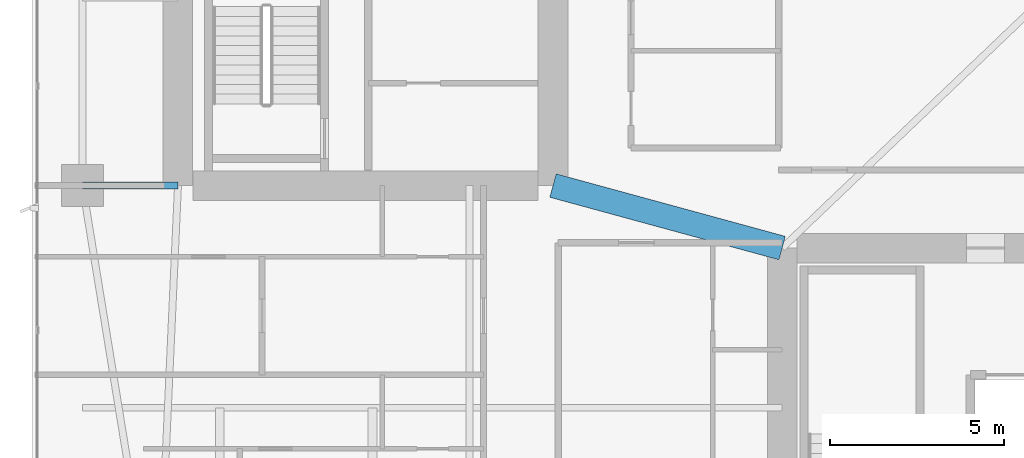
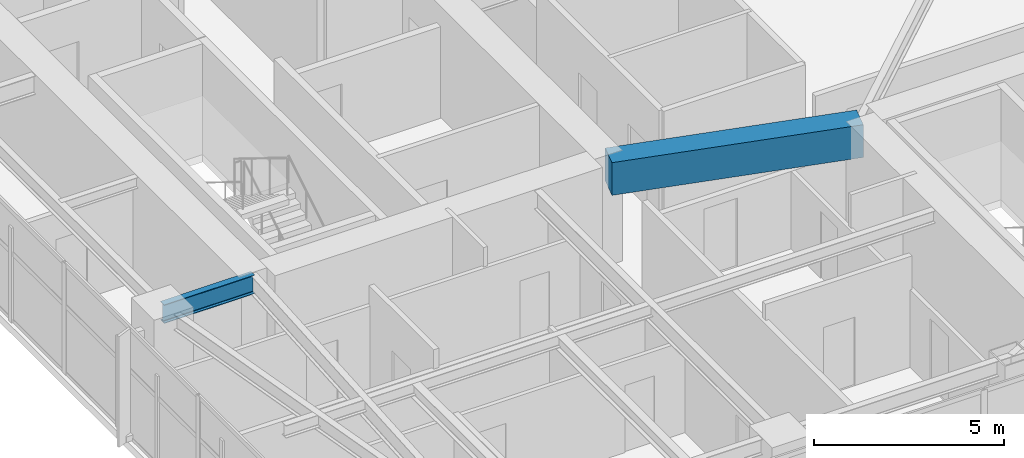
# One storey, part 7 of 29: 2 beams.
"""IFC4 building model written with IfcOpenShell, lengths in metres."""

from ifc_helpers import new_model, si_unit, direction, frame, origin, origin_2d, place, context, subcontext, project, spatial, rectangle, i_section, extrude, material, material_profile, profile_set, type_object, element, save


model = new_model("IFC4")

# Units and contexts
model_context = context("Model", 3, precision=1e-05, world=origin(), true_north=direction((0.0, 1.0)))
body_context = subcontext(model_context, "Body", "Model", "MODEL_VIEW")
ifc_project = project(units=[si_unit("LENGTHUNIT", "METRE"), si_unit("AREAUNIT", "SQUARE_METRE"), si_unit("VOLUMEUNIT", "CUBIC_METRE"), si_unit("PLANEANGLEUNIT", "RADIAN"), si_unit("MASSUNIT", "GRAM", prefix="KILO")], contexts=[model_context])

# Site, building, storey
site_placement = place(None, origin())
site = spatial("IfcSite", under=ifc_project, at=site_placement, CompositionType="ELEMENT")
building_placement = place(site_placement, origin())
building = spatial("IfcBuilding", under=site, at=building_placement, Name="Calvorn Quay Hotel", CompositionType="ELEMENT")
storey_placement = place(building_placement, frame((0.0, 0.0, 167.5)))
storey = spatial("IfcBuildingStorey", under=building, at=storey_placement, Name="L41", CompositionType="ELEMENT", Elevation=167.5)

# Beams
ifc_material_1 = material(Name="Steel Q355B", Category="steel")
ifc_material_profile_1 = material_profile(ifc_material_1, i_section(OverallWidth=0.199951171875, OverallDepth=0.60009765625, WebThickness=0.010986328125, FlangeThickness=0.01708984375, FilletRadius=0.01806640625, at=origin_2d()), Name="HN600x200x11x17")
ifc_profile_set_1 = profile_set([ifc_material_profile_1], Name="Steel Q355B")
beam_type_1 = type_object("IfcBeamType", Name="BM-GIRD-TYP", PredefinedType="BEAM", material=ifc_profile_set_1)
beam_1_placement = place(storey_placement, frame((1.449951171875, 16.800048828125, 3.239990234375), z_axis=(1.0, 0.0, 0.0), x_axis=(0.0, 1.0, 0.0)))
element("IfcBeam", 1, at=beam_1_placement, inside=storey, type_object=beam_type_1, Name="Beam BG-L41-W1", PredefinedType="BEAM", context=body_context, shape_type="SweptSolid", body=[
    extrude(i_section(OverallWidth=0.199951171875, OverallDepth=0.60009765625, WebThickness=0.010986328125, FlangeThickness=0.01708984375, FilletRadius=0.01806640625, at=origin_2d()), origin(), (0.0, 0.0, 1.0), 2.75),
])
ifc_material_2 = material(Name="Concrete C50", Category="concrete")
ifc_material_profile_2 = material_profile(ifc_material_2, rectangle(XDim=0.699951171875, YDim=1.050048828125, at=origin_2d()), Name="RCB700x1050")
ifc_profile_set_2 = profile_set([ifc_material_profile_2], Name="Concrete C50")
beam_type_2 = type_object("IfcBeamType", Name="BM-RC-LINK-700x1050", PredefinedType="BEAM", material=ifc_profile_set_2)
beam_2_placement = place(storey_placement, frame((15.0, 16.800048828125, 3.014892578125), z_axis=(0.964762997686, -0.263120425462, 0.0), x_axis=(0.263120425462, 0.964762997686, 0.0)))
element("IfcBeam", 2, at=beam_2_placement, inside=storey, type_object=beam_type_2, Name="Beam BCL-L41-01", PredefinedType="BEAM", context=body_context, shape_type="SweptSolid", body=[
    extrude(rectangle(XDim=0.699951171875, YDim=1.050048828125, at=origin_2d()), origin(), (0.0, 0.0, 1.0), 6.841064453125),
])

save(model, "model.ifc")
